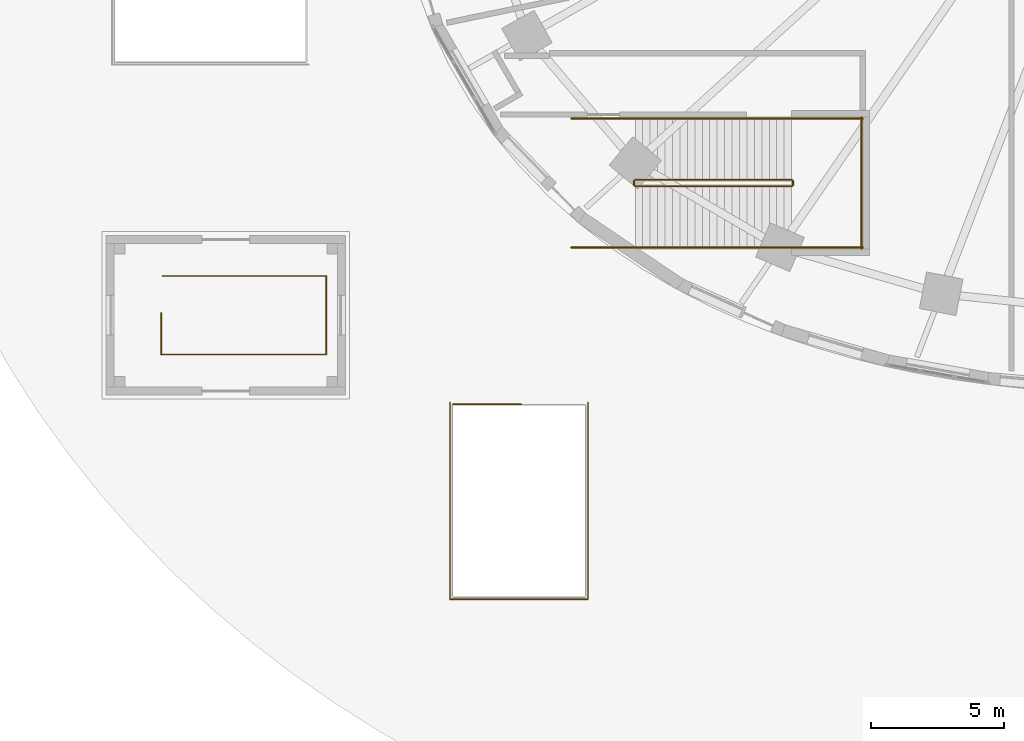
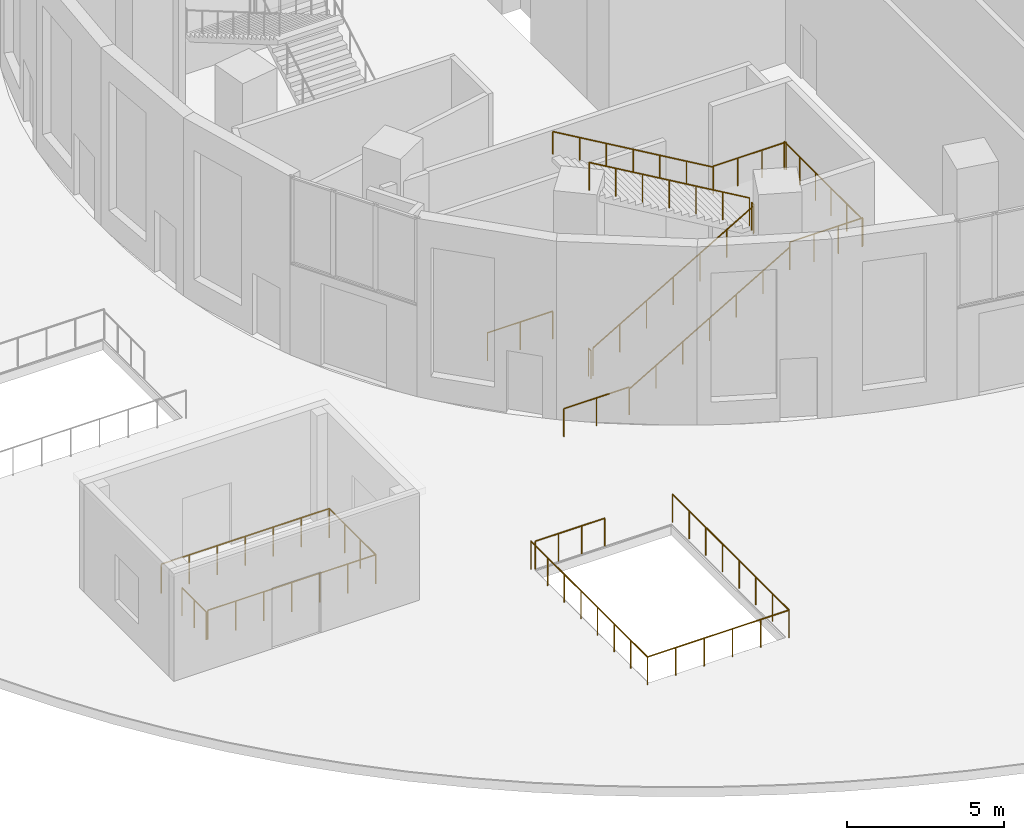
# One storey, part 19 of 27: 15 railings.
"""IFC4 building model written with IfcOpenShell, lengths in metres."""

from ifc_helpers import new_model, si_unit, direction, frame, origin, origin_2d, place, context, subcontext, project, spatial, circle, extrude, material, type_object, element, save


model = new_model("IFC4")

# Units and contexts
model_context = context("Model", 3, precision=1e-05, world=origin(), true_north=direction((0.0, 1.0)))
body_context = subcontext(model_context, "Body", "Model", "MODEL_VIEW")
ifc_project = project(units=[si_unit("LENGTHUNIT", "METRE"), si_unit("AREAUNIT", "SQUARE_METRE"), si_unit("VOLUMEUNIT", "CUBIC_METRE"), si_unit("PLANEANGLEUNIT", "RADIAN"), si_unit("MASSUNIT", "GRAM", prefix="KILO")], contexts=[model_context])

# Site, building, storey
site_placement = place(None, origin())
site = spatial("IfcSite", under=ifc_project, at=site_placement, CompositionType="ELEMENT")
building_placement = place(site_placement, origin())
building = spatial("IfcBuilding", under=site, at=building_placement, Name="Rubra Terraces Tower", CompositionType="ELEMENT")
storey_placement = place(building_placement, origin())
storey = spatial("IfcBuildingStorey", under=building, at=storey_placement, Name="L00", CompositionType="ELEMENT", Elevation=0.0)

# Railings
ifc_material_1 = material(Name="Stainless steel", Category="steel")
railing_type_1 = type_object("IfcRailingType", Name="Public stair guard 1100", PredefinedType="GUARDRAIL", material=ifc_material_1)
railing_1_placement = place(storey_placement, frame((-20.60009765625, -15.14990234375, 0.16357421875)))
element("IfcRailing", 1, at=railing_1_placement, inside=storey, type_object=railing_type_1, Name="L00 PS3 stair guard 1", PredefinedType="GUARDRAIL", context=body_context, shape_type="SweptSolid", body=[
    extrude(circle(Radius=0.02392578125, at=origin_2d()), frame((0.0, 0.0, 1.076171875), z_axis=(0.863366468381, 0.0, 0.504577388787), x_axis=(0.0, 1.0, 0.0)), (0.0, 0.0, 1.0), 6.810791015625),
    extrude(circle(Radius=0.02099609375, at=origin_2d()), origin(), (0.0, 0.0, 1.0), 1.052001953125),
    extrude(circle(Radius=0.02099609375, at=origin_2d()), frame((0.97998046875, 0.0, 0.57275390625)), (0.0, 0.0, 1.0), 1.052001953125),
    extrude(circle(Radius=0.02099609375, at=origin_2d()), frame((1.9599609375, 0.0, 1.1455078125)), (0.0, 0.0, 1.0), 1.052001953125),
    extrude(circle(Radius=0.02099609375, at=origin_2d()), frame((2.93994140625, 0.0, 1.71826171875)), (0.0, 0.0, 1.0), 1.052001953125),
    extrude(circle(Radius=0.02099609375, at=origin_2d()), frame((3.920166015625, 0.0, 2.291015625)), (0.0, 0.0, 1.0), 1.052001953125),
    extrude(circle(Radius=0.02099609375, at=origin_2d()), frame((4.900146484375, 0.0, 2.86376953125)), (0.0, 0.0, 1.0), 1.052001953125),
    extrude(circle(Radius=0.02099609375, at=origin_2d()), frame((5.880126953125, 0.0, 3.4365234375)), (0.0, 0.0, 1.0), 1.052001953125),
])
railing_2_placement = place(storey_placement, frame((-14.669921875, -15.10009765625, 3.60009765625)))
element("IfcRailing", 2, at=railing_2_placement, inside=storey, type_object=railing_type_1, Name="L00 PS3 stair guard 2", PredefinedType="GUARDRAIL", context=body_context, shape_type="SweptSolid", body=[
    extrude(circle(Radius=0.02392578125, at=origin_2d()), frame((0.0, 0.0, 1.076171875), z_axis=(0.0, 1.0, 0.0), x_axis=(-1.0, 0.0, 0.0)), (0.0, 0.0, 1.0), 0.150146484375),
    extrude(circle(Radius=0.02099609375, at=origin_2d()), origin(), (0.0, 0.0, 1.0), 1.052001953125),
    extrude(circle(Radius=0.02099609375, at=origin_2d()), frame((0.0, 0.150146484375, 0.0)), (0.0, 0.0, 1.0), 1.052001953125),
])
for number, where, name in (
    (3, (-14.719970703125, -17.449951171875, 3.60009765625), "L00 PS3 stair guard 3"),
    (4, (-14.719970703125, -12.60009765625, 3.60009765625), "L00 PS3 stair guard 4"),
):
    element("IfcRailing", number, at=place(storey_placement, frame(where)), inside=storey, type_object=railing_type_1, Name=name, PredefinedType="GUARDRAIL", context=body_context, shape_type="SweptSolid", body=[
        extrude(circle(Radius=0.02392578125, at=origin_2d()), frame((0.0, 0.0, 1.076171875), z_axis=(1.0, 0.0, 0.0), x_axis=(0.0, 1.0, 0.0)), (0.0, 0.0, 1.0), 2.679931640625),
        extrude(circle(Radius=0.02099609375, at=origin_2d()), origin(), (0.0, 0.0, 1.0), 1.052001953125),
        extrude(circle(Radius=0.02099609375, at=origin_2d()), frame((0.893310546875, 0.0, 0.0)), (0.0, 0.0, 1.0), 1.052001953125),
        extrude(circle(Radius=0.02099609375, at=origin_2d()), frame((1.78662109375, 0.0, 0.0)), (0.0, 0.0, 1.0), 1.052001953125),
        extrude(circle(Radius=0.02099609375, at=origin_2d()), frame((2.679931640625, 0.0, 0.0)), (0.0, 0.0, 1.0), 1.052001953125),
    ])
railing_3_placement = place(storey_placement, frame((-12.090087890625, -17.5, 3.60009765625)))
element("IfcRailing", 5, at=railing_3_placement, inside=storey, type_object=railing_type_1, Name="L00 PS3 stair guard 5", PredefinedType="GUARDRAIL", context=body_context, shape_type="SweptSolid", body=[
    extrude(circle(Radius=0.02392578125, at=origin_2d()), frame((0.0, 0.0, 1.076171875), z_axis=(0.0, 1.0, 0.0), x_axis=(-1.0, 0.0, 0.0)), (0.0, 0.0, 1.0), 4.949951171875),
    extrude(circle(Radius=0.02099609375, at=origin_2d()), origin(), (0.0, 0.0, 1.0), 1.052001953125),
    extrude(circle(Radius=0.02099609375, at=origin_2d()), frame((0.0, 0.989990234375, 0.0)), (0.0, 0.0, 1.0), 1.052001953125),
    extrude(circle(Radius=0.02099609375, at=origin_2d()), frame((0.0, 1.97998046875, 0.0)), (0.0, 0.0, 1.0), 1.052001953125),
    extrude(circle(Radius=0.02099609375, at=origin_2d()), frame((0.0, 2.969970703125, 0.0)), (0.0, 0.0, 1.0), 1.052001953125),
    extrude(circle(Radius=0.02099609375, at=origin_2d()), frame((0.0, 3.9599609375, 0.0)), (0.0, 0.0, 1.0), 1.052001953125),
    extrude(circle(Radius=0.02099609375, at=origin_2d()), frame((0.0, 4.949951171875, 0.0)), (0.0, 0.0, 1.0), 1.052001953125),
])
railing_4_placement = place(storey_placement, frame((-14.719970703125, -14.89990234375, 3.763671875)))
element("IfcRailing", 6, at=railing_4_placement, inside=storey, type_object=railing_type_1, Name="L00 PS3 stair guard 6", PredefinedType="GUARDRAIL", context=body_context, shape_type="SweptSolid", body=[
    extrude(circle(Radius=0.02392578125, at=origin_2d()), frame((0.0, 0.0, 1.076171875), z_axis=(-0.863382084311, 0.0, 0.504550667913), x_axis=(0.0, -1.0, 0.0)), (0.0, 0.0, 1.0), 6.810546875),
    extrude(circle(Radius=0.02099609375, at=origin_2d()), origin(), (0.0, 0.0, 1.0), 1.052001953125),
    extrude(circle(Radius=0.02099609375, at=origin_2d()), frame((-0.97998046875, 0.0, 0.57275390625)), (0.0, 0.0, 1.0), 1.052001953125),
    extrude(circle(Radius=0.02099609375, at=origin_2d()), frame((-1.9599609375, 0.0, 1.1455078125)), (0.0, 0.0, 1.0), 1.052001953125),
    extrude(circle(Radius=0.02099609375, at=origin_2d()), frame((-2.93994140625, 0.0, 1.71826171875)), (0.0, 0.0, 1.0), 1.052001953125),
    extrude(circle(Radius=0.02099609375, at=origin_2d()), frame((-3.920166015625, 0.0, 2.290771484375)), (0.0, 0.0, 1.0), 1.052001953125),
    extrude(circle(Radius=0.02099609375, at=origin_2d()), frame((-4.900146484375, 0.0, 2.863525390625)), (0.0, 0.0, 1.0), 1.052001953125),
    extrude(circle(Radius=0.02099609375, at=origin_2d()), frame((-5.880126953125, 0.0, 3.436279296875)), (0.0, 0.0, 1.0), 1.052001953125),
])
railing_5_placement = place(storey_placement, frame((-20.64990234375, -15.10009765625, 0.0400390625)))
element("IfcRailing", 7, at=railing_5_placement, inside=storey, type_object=railing_type_1, Name="L00 PS3 stair guard 7", PredefinedType="GUARDRAIL", context=body_context, shape_type="SweptSolid", body=[
    extrude(circle(Radius=0.02392578125, at=origin_2d()), frame((0.0, 0.0, 1.076171875), z_axis=(0.0, 1.0, 0.0), x_axis=(-1.0, 0.0, 0.0)), (0.0, 0.0, 1.0), 0.150146484375),
    extrude(circle(Radius=0.02099609375, at=origin_2d()), origin(), (0.0, 0.0, 1.0), 1.052001953125),
    extrude(circle(Radius=0.02099609375, at=origin_2d()), frame((0.0, 0.150146484375, 0.0)), (0.0, 0.0, 1.0), 1.052001953125),
])
for number, where, name in (
    (8, (-23.0, -17.449951171875, 0.0400390625), "L00 PS3 stair guard 8"),
    (9, (-23.0, -12.60009765625, 0.0400390625), "L00 PS3 stair guard 9"),
):
    element("IfcRailing", number, at=place(storey_placement, frame(where)), inside=storey, type_object=railing_type_1, Name=name, PredefinedType="GUARDRAIL", context=body_context, shape_type="SweptSolid", body=[
        extrude(circle(Radius=0.02392578125, at=origin_2d()), frame((0.0, 0.0, 1.076171875), z_axis=(1.0, 0.0, 0.0), x_axis=(0.0, 1.0, 0.0)), (0.0, 0.0, 1.0), 2.39990234375),
        extrude(circle(Radius=0.02099609375, at=origin_2d()), origin(), (0.0, 0.0, 1.0), 1.052001953125),
        extrude(circle(Radius=0.02099609375, at=origin_2d()), frame((1.199951171875, 0.0, 0.0)), (0.0, 0.0, 1.0), 1.052001953125),
        extrude(circle(Radius=0.02099609375, at=origin_2d()), frame((2.39990234375, 0.0, 0.0)), (0.0, 0.0, 1.0), 1.052001953125),
    ])
railing_6_placement = place(storey_placement, frame((-27.449951171875, -23.35009765625, 0.0400390625)))
element("IfcRailing", 10, at=railing_6_placement, inside=storey, type_object=railing_type_1, Name="L00 SE8 top well guard 1", PredefinedType="GUARDRAIL", context=body_context, shape_type="SweptSolid", body=[
    extrude(circle(Radius=0.02392578125, at=origin_2d()), frame((0.0, 0.0, 1.076171875), z_axis=(1.0, 0.0, 0.0), x_axis=(0.0, 1.0, 0.0)), (0.0, 0.0, 1.0), 2.550048828125),
    extrude(circle(Radius=0.02099609375, at=origin_2d()), origin(), (0.0, 0.0, 1.0), 1.052001953125),
    extrude(circle(Radius=0.02099609375, at=origin_2d()), frame((0.85009765625, 0.0, 0.0)), (0.0, 0.0, 1.0), 1.052001953125),
    extrude(circle(Radius=0.02099609375, at=origin_2d()), frame((1.699951171875, 0.0, 0.0)), (0.0, 0.0, 1.0), 1.052001953125),
    extrude(circle(Radius=0.02099609375, at=origin_2d()), frame((2.550048828125, 0.0, 0.0)), (0.0, 0.0, 1.0), 1.052001953125),
])
railing_7_placement = place(storey_placement, frame((-27.570068359375, -23.280029296875, 0.0400390625)))
element("IfcRailing", 11, at=railing_7_placement, inside=storey, type_object=railing_type_1, Name="Guard at stair well", PredefinedType="GUARDRAIL", context=body_context, shape_type="SweptSolid", body=[
    extrude(circle(Radius=0.02392578125, at=origin_2d()), frame((0.0, 0.0, 1.076171875), z_axis=(0.0, -1.0, 0.0), x_axis=(1.0, 0.0, 0.0)), (0.0, 0.0, 1.0), 7.39990234375),
    extrude(circle(Radius=0.02392578125, at=origin_2d()), frame((0.0, -7.39990234375, 1.076171875), z_axis=(1.0, 0.0, 0.0), x_axis=(0.0, 1.0, 0.0)), (0.0, 0.0, 1.0), 5.190185546875),
    extrude(circle(Radius=0.02392578125, at=origin_2d()), frame((5.190185546875, -7.39990234375, 1.076171875), z_axis=(0.0, 1.0, 0.0), x_axis=(-1.0, 0.0, 0.0)), (0.0, 0.0, 1.0), 7.39990234375),
    extrude(circle(Radius=0.02099609375, at=origin_2d()), origin(), (0.0, 0.0, 1.0), 1.052001953125),
    extrude(circle(Radius=0.02099609375, at=origin_2d()), frame((0.0, -1.05712890625, 0.0)), (0.0, 0.0, 1.0), 1.052001953125),
    extrude(circle(Radius=0.02099609375, at=origin_2d()), frame((0.0, -2.1142578125, 0.0)), (0.0, 0.0, 1.0), 1.052001953125),
    extrude(circle(Radius=0.02099609375, at=origin_2d()), frame((0.0, -3.17138671875, 0.0)), (0.0, 0.0, 1.0), 1.052001953125),
    extrude(circle(Radius=0.02099609375, at=origin_2d()), frame((0.0, -4.228515625, 0.0)), (0.0, 0.0, 1.0), 1.052001953125),
    extrude(circle(Radius=0.02099609375, at=origin_2d()), frame((0.0, -5.28564453125, 0.0)), (0.0, 0.0, 1.0), 1.052001953125),
    extrude(circle(Radius=0.02099609375, at=origin_2d()), frame((0.0, -6.3427734375, 0.0)), (0.0, 0.0, 1.0), 1.052001953125),
    extrude(circle(Radius=0.02099609375, at=origin_2d()), frame((0.0, -7.39990234375, 0.0)), (0.0, 0.0, 1.0), 1.052001953125),
    extrude(circle(Radius=0.02099609375, at=origin_2d()), frame((1.0380859375, -7.39990234375, 0.0)), (0.0, 0.0, 1.0), 1.052001953125),
    extrude(circle(Radius=0.02099609375, at=origin_2d()), frame((2.076171875, -7.39990234375, 0.0)), (0.0, 0.0, 1.0), 1.052001953125),
    extrude(circle(Radius=0.02099609375, at=origin_2d()), frame((3.114013671875, -7.39990234375, 0.0)), (0.0, 0.0, 1.0), 1.052001953125),
    extrude(circle(Radius=0.02099609375, at=origin_2d()), frame((4.152099609375, -7.39990234375, 0.0)), (0.0, 0.0, 1.0), 1.052001953125),
    extrude(circle(Radius=0.02099609375, at=origin_2d()), frame((5.190185546875, -7.39990234375, 0.0)), (0.0, 0.0, 1.0), 1.052001953125),
    extrude(circle(Radius=0.02099609375, at=origin_2d()), frame((5.190185546875, -6.3427734375, 0.0)), (0.0, 0.0, 1.0), 1.052001953125),
    extrude(circle(Radius=0.02099609375, at=origin_2d()), frame((5.190185546875, -5.28564453125, 0.0)), (0.0, 0.0, 1.0), 1.052001953125),
    extrude(circle(Radius=0.02099609375, at=origin_2d()), frame((5.190185546875, -4.228515625, 0.0)), (0.0, 0.0, 1.0), 1.052001953125),
    extrude(circle(Radius=0.02099609375, at=origin_2d()), frame((5.190185546875, -3.17138671875, 0.0)), (0.0, 0.0, 1.0), 1.052001953125),
    extrude(circle(Radius=0.02099609375, at=origin_2d()), frame((5.190185546875, -2.1142578125, 0.0)), (0.0, 0.0, 1.0), 1.052001953125),
    extrude(circle(Radius=0.02099609375, at=origin_2d()), frame((5.190185546875, -1.05712890625, 0.0)), (0.0, 0.0, 1.0), 1.052001953125),
    extrude(circle(Radius=0.02099609375, at=origin_2d()), frame((5.190185546875, 0.0, 0.0)), (0.0, 0.0, 1.0), 1.052001953125),
])
railing_type_2 = type_object("IfcRailingType", Name="Public stair handrail 900", PredefinedType="HANDRAIL", material=ifc_material_1)
railing_8_placement = place(storey_placement, frame((-20.60009765625, -17.449951171875, 0.16357421875)))
element("IfcRailing", 12, at=railing_8_placement, inside=storey, type_object=railing_type_2, Name="L00 PS3 stair handrail 1", PredefinedType="HANDRAIL", context=body_context, shape_type="SweptSolid", body=[
    extrude(circle(Radius=0.02392578125, at=origin_2d()), frame((0.0, 0.0, 0.8759765625), z_axis=(0.863366468381, 0.0, 0.504577388787), x_axis=(0.0, 1.0, 0.0)), (0.0, 0.0, 1.0), 6.810791015625),
    extrude(circle(Radius=0.02099609375, at=origin_2d()), origin(), (0.0, 0.0, 1.0), 0.851806640625),
    extrude(circle(Radius=0.02099609375, at=origin_2d()), frame((0.97998046875, 0.0, 0.57275390625)), (0.0, 0.0, 1.0), 0.851806640625),
    extrude(circle(Radius=0.02099609375, at=origin_2d()), frame((1.9599609375, 0.0, 1.1455078125)), (0.0, 0.0, 1.0), 0.851806640625),
    extrude(circle(Radius=0.02099609375, at=origin_2d()), frame((2.93994140625, 0.0, 1.71826171875)), (0.0, 0.0, 1.0), 0.851806640625),
    extrude(circle(Radius=0.02099609375, at=origin_2d()), frame((3.920166015625, 0.0, 2.291015625)), (0.0, 0.0, 1.0), 0.851806640625),
    extrude(circle(Radius=0.02099609375, at=origin_2d()), frame((4.900146484375, 0.0, 2.86376953125)), (0.0, 0.0, 1.0), 0.851806640625),
    extrude(circle(Radius=0.02099609375, at=origin_2d()), frame((5.880126953125, 0.0, 3.4365234375)), (0.0, 0.0, 1.0), 0.851806640625),
])
railing_9_placement = place(storey_placement, frame((-14.719970703125, -12.60009765625, 3.763671875)))
element("IfcRailing", 13, at=railing_9_placement, inside=storey, type_object=railing_type_2, Name="L00 PS3 stair handrail 2", PredefinedType="HANDRAIL", context=body_context, shape_type="SweptSolid", body=[
    extrude(circle(Radius=0.02392578125, at=origin_2d()), frame((0.0, 0.0, 0.8759765625), z_axis=(-0.863382084311, 0.0, 0.504550667913), x_axis=(0.0, -1.0, 0.0)), (0.0, 0.0, 1.0), 6.810546875),
    extrude(circle(Radius=0.02099609375, at=origin_2d()), origin(), (0.0, 0.0, 1.0), 0.851806640625),
    extrude(circle(Radius=0.02099609375, at=origin_2d()), frame((-0.97998046875, 0.0, 0.57275390625)), (0.0, 0.0, 1.0), 0.851806640625),
    extrude(circle(Radius=0.02099609375, at=origin_2d()), frame((-1.9599609375, 0.0, 1.1455078125)), (0.0, 0.0, 1.0), 0.851806640625),
    extrude(circle(Radius=0.02099609375, at=origin_2d()), frame((-2.93994140625, 0.0, 1.71826171875)), (0.0, 0.0, 1.0), 0.851806640625),
    extrude(circle(Radius=0.02099609375, at=origin_2d()), frame((-3.920166015625, 0.0, 2.290771484375)), (0.0, 0.0, 1.0), 0.851806640625),
    extrude(circle(Radius=0.02099609375, at=origin_2d()), frame((-4.900146484375, 0.0, 2.863525390625)), (0.0, 0.0, 1.0), 0.851806640625),
    extrude(circle(Radius=0.02099609375, at=origin_2d()), frame((-5.880126953125, 0.0, 3.436279296875)), (0.0, 0.0, 1.0), 0.851806640625),
])
ifc_material_2 = material(Name="Steel, powder-coated dark grey", Category="steel")
railing_type_3 = type_object("IfcRailingType", Name="Station stair guard 1100", PredefinedType="GUARDRAIL", material=ifc_material_2)
railing_10_placement = place(storey_placement, frame((-38.429931640625, -21.47509765625, 0.0)))
element("IfcRailing", 14, at=railing_10_placement, inside=storey, type_object=railing_type_3, Name="L00 SP3-S top well guard 1", PredefinedType="GUARDRAIL", context=body_context, shape_type="SweptSolid", body=[
    extrude(circle(Radius=0.02392578125, at=origin_2d()), frame((0.0, 0.0, 1.076171875), z_axis=(0.0, 1.0, 0.0), x_axis=(-1.0, 0.0, 0.0)), (0.0, 0.0, 1.0), 1.550048828125),
    extrude(circle(Radius=0.02099609375, at=origin_2d()), origin(), (0.0, 0.0, 1.0), 1.052001953125),
    extrude(circle(Radius=0.02099609375, at=origin_2d()), frame((0.0, 0.77490234375, 0.0)), (0.0, 0.0, 1.0), 1.052001953125),
    extrude(circle(Radius=0.02099609375, at=origin_2d()), frame((0.0, 1.550048828125, 0.0)), (0.0, 0.0, 1.0), 1.052001953125),
])
railing_11_placement = place(storey_placement, frame((-38.3798828125, -21.47509765625, 0.0)))
element("IfcRailing", 15, at=railing_11_placement, inside=storey, type_object=railing_type_3, Name="Pavilion SP3 stair well guard", PredefinedType="GUARDRAIL", context=body_context, shape_type="SweptSolid", body=[
    extrude(circle(Radius=0.02392578125, at=origin_2d()), frame((0.0, 0.0, 1.1259765625), z_axis=(1.0, 0.0, 0.0), x_axis=(0.0, 1.0, 0.0)), (0.0, 0.0, 1.0), 6.159912109375),
    extrude(circle(Radius=0.02392578125, at=origin_2d()), frame((6.159912109375, 0.0, 1.1259765625), z_axis=(0.0, 1.0, 0.0), x_axis=(-1.0, 0.0, 0.0)), (0.0, 0.0, 1.0), 2.9501953125),
    extrude(circle(Radius=0.02392578125, at=origin_2d()), frame((6.159912109375, 2.9501953125, 1.1259765625), z_axis=(-1.0, 0.0, 0.0), x_axis=(0.0, -1.0, 0.0)), (0.0, 0.0, 1.0), 6.159912109375),
    extrude(circle(Radius=0.02099609375, at=origin_2d()), origin(), (0.0, 0.0, 1.0), 1.101806640625),
    extrude(circle(Radius=0.02099609375, at=origin_2d()), frame((1.026611328125, 0.0, 0.0)), (0.0, 0.0, 1.0), 1.101806640625),
    extrude(circle(Radius=0.02099609375, at=origin_2d()), frame((2.05322265625, 0.0, 0.0)), (0.0, 0.0, 1.0), 1.101806640625),
    extrude(circle(Radius=0.02099609375, at=origin_2d()), frame((3.080078125, 0.0, 0.0)), (0.0, 0.0, 1.0), 1.101806640625),
    extrude(circle(Radius=0.02099609375, at=origin_2d()), frame((4.106689453125, 0.0, 0.0)), (0.0, 0.0, 1.0), 1.101806640625),
    extrude(circle(Radius=0.02099609375, at=origin_2d()), frame((5.13330078125, 0.0, 0.0)), (0.0, 0.0, 1.0), 1.101806640625),
    extrude(circle(Radius=0.02099609375, at=origin_2d()), frame((6.159912109375, 0.0, 0.0)), (0.0, 0.0, 1.0), 1.101806640625),
    extrude(circle(Radius=0.02099609375, at=origin_2d()), frame((6.159912109375, 0.9833984375, 0.0)), (0.0, 0.0, 1.0), 1.101806640625),
    extrude(circle(Radius=0.02099609375, at=origin_2d()), frame((6.159912109375, 1.966796875, 0.0)), (0.0, 0.0, 1.0), 1.101806640625),
    extrude(circle(Radius=0.02099609375, at=origin_2d()), frame((6.159912109375, 2.9501953125, 0.0)), (0.0, 0.0, 1.0), 1.101806640625),
    extrude(circle(Radius=0.02099609375, at=origin_2d()), frame((5.13330078125, 2.9501953125, 0.0)), (0.0, 0.0, 1.0), 1.101806640625),
    extrude(circle(Radius=0.02099609375, at=origin_2d()), frame((4.106689453125, 2.9501953125, 0.0)), (0.0, 0.0, 1.0), 1.101806640625),
    extrude(circle(Radius=0.02099609375, at=origin_2d()), frame((3.080078125, 2.9501953125, 0.0)), (0.0, 0.0, 1.0), 1.101806640625),
    extrude(circle(Radius=0.02099609375, at=origin_2d()), frame((2.05322265625, 2.9501953125, 0.0)), (0.0, 0.0, 1.0), 1.101806640625),
    extrude(circle(Radius=0.02099609375, at=origin_2d()), frame((1.026611328125, 2.9501953125, 0.0)), (0.0, 0.0, 1.0), 1.101806640625),
    extrude(circle(Radius=0.02099609375, at=origin_2d()), frame((0.0, 2.9501953125, 0.0)), (0.0, 0.0, 1.0), 1.101806640625),
])

save(model, "model.ifc")
